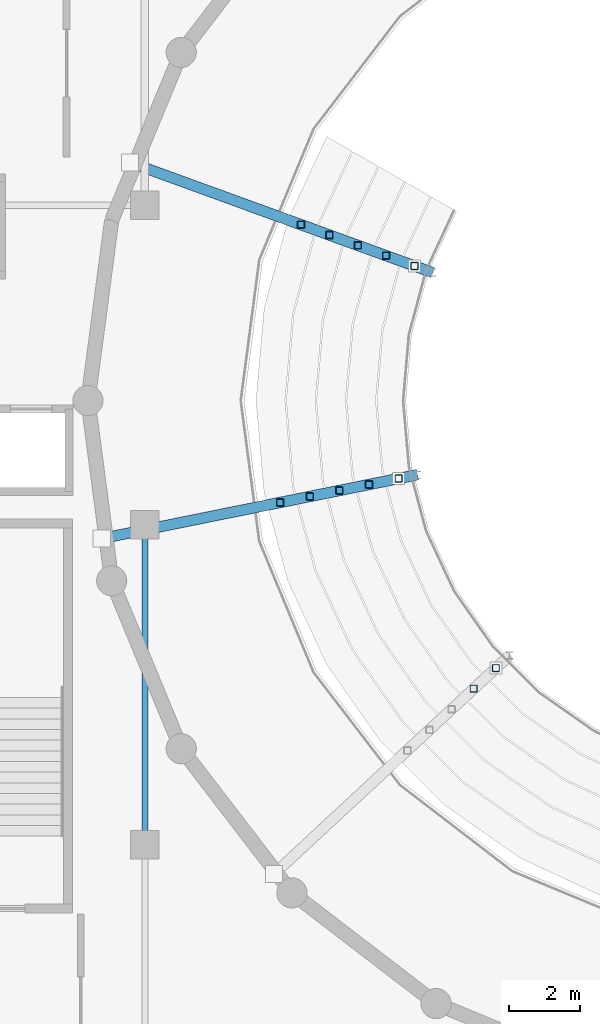
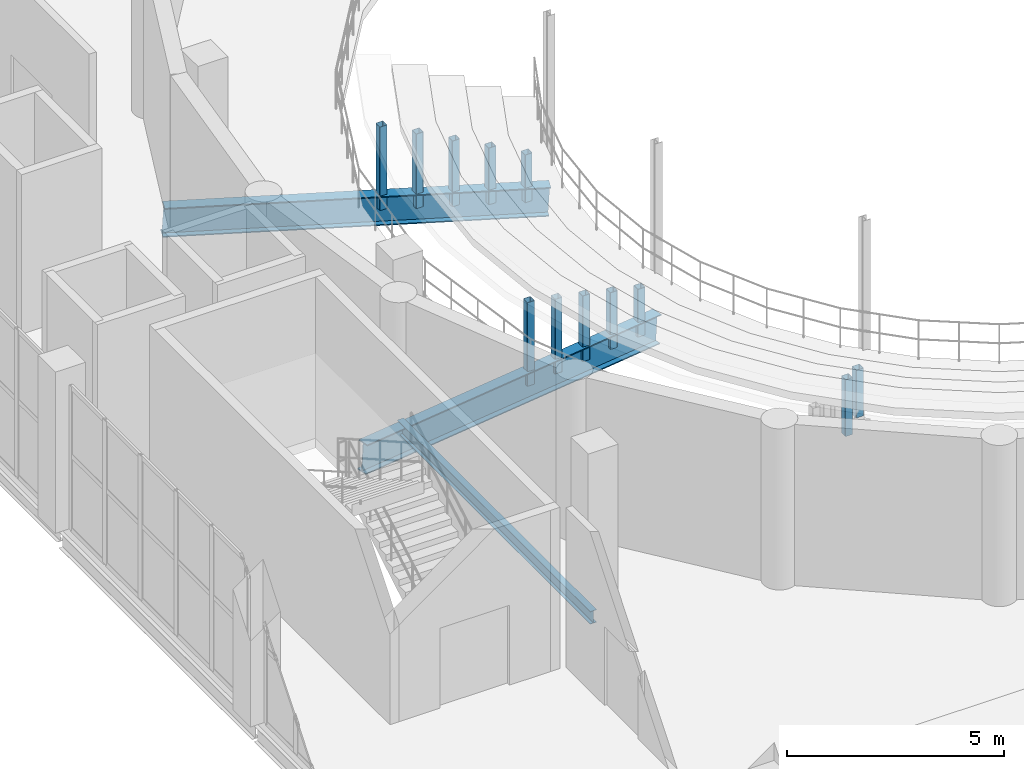
# One storey, part 36 of 93: 12 members, 3 beams.
"""IFC4 building model written with IfcOpenShell, lengths in metres."""

from ifc_helpers import new_model, si_unit, direction, frame, origin, origin_2d, place, context, subcontext, project, spatial, hollow_rectangle, i_section, extrude, material, material_profile, profile_set, type_object, element, save


model = new_model("IFC4")

# Units and contexts
model_context = context("Model", 3, precision=1e-05, world=origin(), true_north=direction((0.0, 1.0)))
body_context = subcontext(model_context, "Body", "Model", "MODEL_VIEW")
ifc_project = project(units=[si_unit("LENGTHUNIT", "METRE"), si_unit("AREAUNIT", "SQUARE_METRE"), si_unit("VOLUMEUNIT", "CUBIC_METRE"), si_unit("PLANEANGLEUNIT", "RADIAN"), si_unit("MASSUNIT", "GRAM", prefix="KILO")], contexts=[model_context])

# Site, building, storey
site_placement = place(None, origin())
site = spatial("IfcSite", under=ifc_project, at=site_placement, CompositionType="ELEMENT")
building_placement = place(site_placement, origin())
building = spatial("IfcBuilding", under=site, at=building_placement, Name="Marnock Terrace Opera House", CompositionType="ELEMENT")
storey_placement = place(building_placement, frame((0.0, 0.0, 5.39990234375)))
storey = spatial("IfcBuildingStorey", under=building, at=storey_placement, Name="L01", CompositionType="ELEMENT", Elevation=5.39990234375)

# Beams
ifc_material_1 = material(Name="Steel Grade 350 (AS/NZS 3679.1)", Category="steel")
ifc_material_profile_1 = material_profile(ifc_material_1, i_section(OverallWidth=0.1708984375, OverallDepth=0.355712890625, WebThickness=0.00732421875, FlangeThickness=0.011474609375, FilletRadius=0.011474609375, at=origin_2d()))
ifc_profile_set_1 = profile_set([ifc_material_profile_1], Name="Steel Grade 350 (AS/NZS 3679.1)")
beam_type_1 = type_object("IfcBeamType", Name="BM-GIRD-360", PredefinedType="BEAM", material=ifc_profile_set_1)
beam_1_placement = place(storey_placement, frame((64.0, 48.050048828125, -0.457763671875), z_axis=(0.0, 1.0, 0.0), x_axis=(-1.0, 0.0, 0.0)))
element("IfcBeam", 1, at=beam_1_placement, inside=storey, type_object=beam_type_1, Name="L01 girder (X=64.0, 48.0..57.0)", PredefinedType="BEAM", context=body_context, shape_type="SweptSolid", body=[
    extrude(i_section(OverallWidth=0.1708984375, OverallDepth=0.355712890625, WebThickness=0.00732421875, FlangeThickness=0.011474609375, FilletRadius=0.011474609375, at=origin_2d()), origin(), (0.0, 0.0, 1.0), 8.89990234375),
])
ifc_material_2 = material(Name="Steel Grade 350 Welded (AS/NZS 3679.2)", Category="steel")
ifc_material_profile_2 = material_profile(ifc_material_2, i_section(OverallWidth=0.300048828125, OverallDepth=0.81591796875, WebThickness=0.013916015625, FlangeThickness=0.028076171875, at=origin_2d()))
ifc_profile_set_2 = profile_set([ifc_material_profile_2], Name="Steel Grade 350 Welded (AS/NZS 3679.2)")
beam_type_2 = type_object("IfcBeamType", Name="BM-RAKER-800", PredefinedType="BEAM", material=ifc_profile_set_2)
beam_2_placement = place(storey_placement, frame((72.086181640625, 64.1083984375, -1.23779296875), z_axis=(-0.938205492565, 0.341474154817, 0.056265933855), x_axis=(-0.342015970523, -0.939694139551, 0.0)))
element("IfcBeam", 2, at=beam_2_placement, inside=storey, type_object=beam_type_2, Name="L01 Auditorium raker girder 1", PredefinedType="BEAM", context=body_context, shape_type="SweptSolid", body=[
    extrude(i_section(OverallWidth=0.300048828125, OverallDepth=0.81591796875, WebThickness=0.013916015625, FlangeThickness=0.028076171875, at=origin_2d()), origin(), (0.0, 0.0, 1.0), 9.064208984375),
])
beam_3_placement = place(storey_placement, frame((71.6591796875, 58.40966796875, -1.23779296875), z_axis=(-0.978614945489, -0.197856150976, 0.056264837924), x_axis=(0.198170076298, -0.980167649364, 0.0)))
element("IfcBeam", 3, at=beam_3_placement, inside=storey, type_object=beam_type_2, Name="L01 Auditorium raker girder 2", PredefinedType="BEAM", context=body_context, shape_type="SweptSolid", body=[
    extrude(i_section(OverallWidth=0.300048828125, OverallDepth=0.81591796875, WebThickness=0.013916015625, FlangeThickness=0.028076171875, at=origin_2d()), origin(), (0.0, 0.0, 1.0), 9.064453125),
])

# Members
ifc_material_3 = material(Name="Cold-formed Steel Grade C350L0 (AS/NZS 1163)", Category="steel")
ifc_material_profile_3 = material_profile(ifc_material_3, hollow_rectangle(XDim=0.199951171875, YDim=0.199951171875, WallThickness=0.009033203125, InnerFilletRadius=0.009033203125, OuterFilletRadius=0.01806640625, at=origin_2d()))
ifc_profile_set_3 = profile_set([ifc_material_profile_3], Name="Cold-formed Steel Grade C350L0 (AS/NZS 1163)")
member_type = type_object("IfcMemberType", Name="MEM-TRUSS-WEB2", PredefinedType="BRACE", material=ifc_profile_set_3)
member_1_placement = place(storey_placement, frame((71.593017578125, 64.287841796875, -1.208251953125), z_axis=(0.0, 0.0, 1.0), x_axis=(1.0, 0.0, 0.0)))
element("IfcMember", 4, at=member_1_placement, inside=storey, type_object=member_type, Name="L01 Auditorium tier support post 1.1", PredefinedType="BRACE", context=body_context, shape_type="SweptSolid", body=[
    extrude(hollow_rectangle(XDim=0.199951171875, YDim=0.199951171875, WallThickness=0.009033203125, InnerFilletRadius=0.009033203125, OuterFilletRadius=0.01806640625, at=origin_2d()), origin(), (0.0, 0.0, 1.0), 1.34326171875),
])
member_2_placement = place(storey_placement, frame((70.794189453125, 64.57861328125, -1.160400390625), z_axis=(0.0, 0.0, 1.0), x_axis=(1.0, 0.0, 0.0)))
element("IfcMember", 5, at=member_2_placement, inside=storey, type_object=member_type, Name="L01 Auditorium tier support post 1.2", PredefinedType="BRACE", context=body_context, shape_type="SweptSolid", body=[
    extrude(hollow_rectangle(XDim=0.199951171875, YDim=0.199951171875, WallThickness=0.009033203125, InnerFilletRadius=0.009033203125, OuterFilletRadius=0.01806640625, at=origin_2d()), origin(), (0.0, 0.0, 1.0), 1.595458984375),
])
member_3_placement = place(storey_placement, frame((69.995361328125, 64.869384765625, -1.112548828125), z_axis=(0.0, 0.0, 1.0), x_axis=(1.0, 0.0, 0.0)))
element("IfcMember", 6, at=member_3_placement, inside=storey, type_object=member_type, Name="L01 Auditorium tier support post 1.3", PredefinedType="BRACE", context=body_context, shape_type="SweptSolid", body=[
    extrude(hollow_rectangle(XDim=0.199951171875, YDim=0.199951171875, WallThickness=0.009033203125, InnerFilletRadius=0.009033203125, OuterFilletRadius=0.01806640625, at=origin_2d()), origin(), (0.0, 0.0, 1.0), 1.84765625),
])
member_4_placement = place(storey_placement, frame((69.19677734375, 65.159912109375, -1.064697265625), z_axis=(0.0, 0.0, 1.0), x_axis=(1.0, 0.0, 0.0)))
element("IfcMember", 7, at=member_4_placement, inside=storey, type_object=member_type, Name="L01 Auditorium tier support post 1.4", PredefinedType="BRACE", context=body_context, shape_type="SweptSolid", body=[
    extrude(hollow_rectangle(XDim=0.199951171875, YDim=0.199951171875, WallThickness=0.009033203125, InnerFilletRadius=0.009033203125, OuterFilletRadius=0.01806640625, at=origin_2d()), origin(), (0.0, 0.0, 1.0), 2.099853515625),
])
member_5_placement = place(storey_placement, frame((68.39794921875, 65.45068359375, -1.0166015625), z_axis=(0.0, 0.0, 1.0), x_axis=(1.0, 0.0, 0.0)))
element("IfcMember", 8, at=member_5_placement, inside=storey, type_object=member_type, Name="L01 Auditorium tier support post 1.5", PredefinedType="BRACE", context=body_context, shape_type="SweptSolid", body=[
    extrude(hollow_rectangle(XDim=0.199951171875, YDim=0.199951171875, WallThickness=0.009033203125, InnerFilletRadius=0.009033203125, OuterFilletRadius=0.01806640625, at=origin_2d()), origin(), (0.0, 0.0, 1.0), 2.351806640625),
])
member_6_placement = place(storey_placement, frame((71.14453125, 58.305419921875, -1.208251953125), z_axis=(0.0, 0.0, 1.0), x_axis=(1.0, 0.0, 0.0)))
element("IfcMember", 9, at=member_6_placement, inside=storey, type_object=member_type, Name="L01 Auditorium tier support post 2.1", PredefinedType="BRACE", context=body_context, shape_type="SweptSolid", body=[
    extrude(hollow_rectangle(XDim=0.199951171875, YDim=0.199951171875, WallThickness=0.009033203125, InnerFilletRadius=0.009033203125, OuterFilletRadius=0.01806640625, at=origin_2d()), origin(), (0.0, 0.0, 1.0), 1.34326171875),
])
member_7_placement = place(storey_placement, frame((70.311279296875, 58.13720703125, -1.160400390625), z_axis=(0.0, 0.0, 1.0), x_axis=(1.0, 0.0, 0.0)))
element("IfcMember", 10, at=member_7_placement, inside=storey, type_object=member_type, Name="L01 Auditorium tier support post 2.2", PredefinedType="BRACE", context=body_context, shape_type="SweptSolid", body=[
    extrude(hollow_rectangle(XDim=0.199951171875, YDim=0.199951171875, WallThickness=0.009033203125, InnerFilletRadius=0.009033203125, OuterFilletRadius=0.01806640625, at=origin_2d()), origin(), (0.0, 0.0, 1.0), 1.595458984375),
])
member_8_placement = place(storey_placement, frame((69.478271484375, 57.96875, -1.112548828125), z_axis=(0.0, 0.0, 1.0), x_axis=(1.0, 0.0, 0.0)))
element("IfcMember", 11, at=member_8_placement, inside=storey, type_object=member_type, Name="L01 Auditorium tier support post 2.3", PredefinedType="BRACE", context=body_context, shape_type="SweptSolid", body=[
    extrude(hollow_rectangle(XDim=0.199951171875, YDim=0.199951171875, WallThickness=0.009033203125, InnerFilletRadius=0.009033203125, OuterFilletRadius=0.01806640625, at=origin_2d()), origin(), (0.0, 0.0, 1.0), 1.84765625),
])
member_9_placement = place(storey_placement, frame((68.64501953125, 57.80029296875, -1.064697265625), z_axis=(0.0, 0.0, 1.0), x_axis=(1.0, 0.0, 0.0)))
element("IfcMember", 12, at=member_9_placement, inside=storey, type_object=member_type, Name="L01 Auditorium tier support post 2.4", PredefinedType="BRACE", context=body_context, shape_type="SweptSolid", body=[
    extrude(hollow_rectangle(XDim=0.199951171875, YDim=0.199951171875, WallThickness=0.009033203125, InnerFilletRadius=0.009033203125, OuterFilletRadius=0.01806640625, at=origin_2d()), origin(), (0.0, 0.0, 1.0), 2.099853515625),
])
member_10_placement = place(storey_placement, frame((67.81201171875, 57.6318359375, -1.0166015625), z_axis=(0.0, 0.0, 1.0), x_axis=(1.0, 0.0, 0.0)))
element("IfcMember", 13, at=member_10_placement, inside=storey, type_object=member_type, Name="L01 Auditorium tier support post 2.5", PredefinedType="BRACE", context=body_context, shape_type="SweptSolid", body=[
    extrude(hollow_rectangle(XDim=0.199951171875, YDim=0.199951171875, WallThickness=0.009033203125, InnerFilletRadius=0.009033203125, OuterFilletRadius=0.01806640625, at=origin_2d()), origin(), (0.0, 0.0, 1.0), 2.351806640625),
])
member_11_placement = place(storey_placement, frame((73.881591796875, 52.967041015625, -1.208251953125), z_axis=(0.0, 0.0, 1.0), x_axis=(1.0, 0.0, 0.0)))
element("IfcMember", 14, at=member_11_placement, inside=storey, type_object=member_type, Name="L01 Auditorium tier support post 3.1", PredefinedType="BRACE", context=body_context, shape_type="SweptSolid", body=[
    extrude(hollow_rectangle(XDim=0.199951171875, YDim=0.199951171875, WallThickness=0.009033203125, InnerFilletRadius=0.009033203125, OuterFilletRadius=0.01806640625, at=origin_2d()), origin(), (0.0, 0.0, 1.0), 1.34326171875),
])
member_12_placement = place(storey_placement, frame((73.25830078125, 52.388916015625, -1.160400390625), z_axis=(0.0, 0.0, 1.0), x_axis=(1.0, 0.0, 0.0)))
element("IfcMember", 15, at=member_12_placement, inside=storey, type_object=member_type, Name="L01 Auditorium tier support post 3.2", PredefinedType="BRACE", context=body_context, shape_type="SweptSolid", body=[
    extrude(hollow_rectangle(XDim=0.199951171875, YDim=0.199951171875, WallThickness=0.009033203125, InnerFilletRadius=0.009033203125, OuterFilletRadius=0.01806640625, at=origin_2d()), origin(), (0.0, 0.0, 1.0), 1.595458984375),
])

save(model, "model.ifc")
